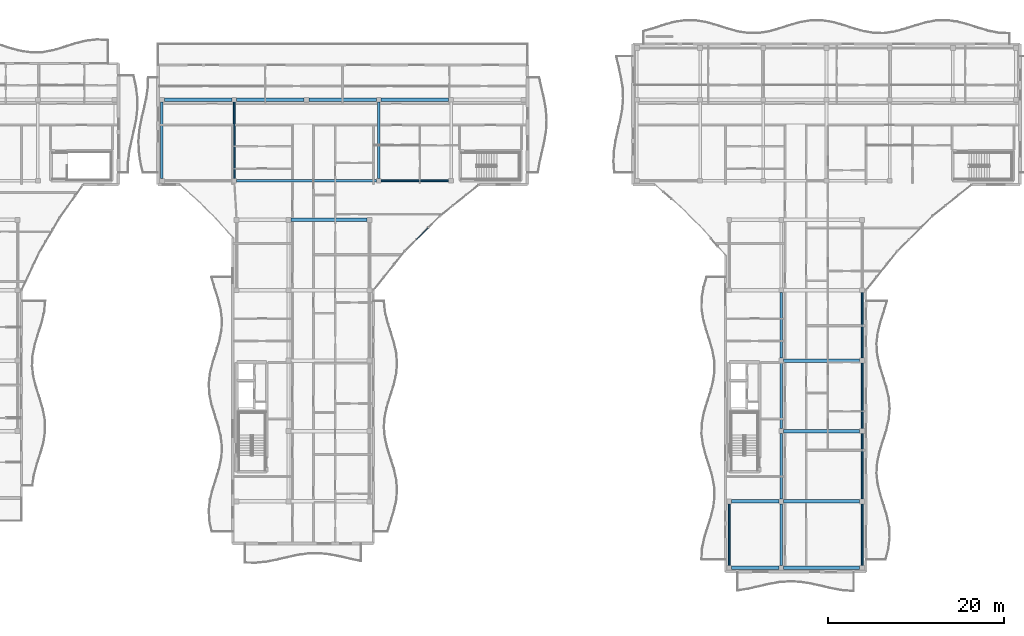
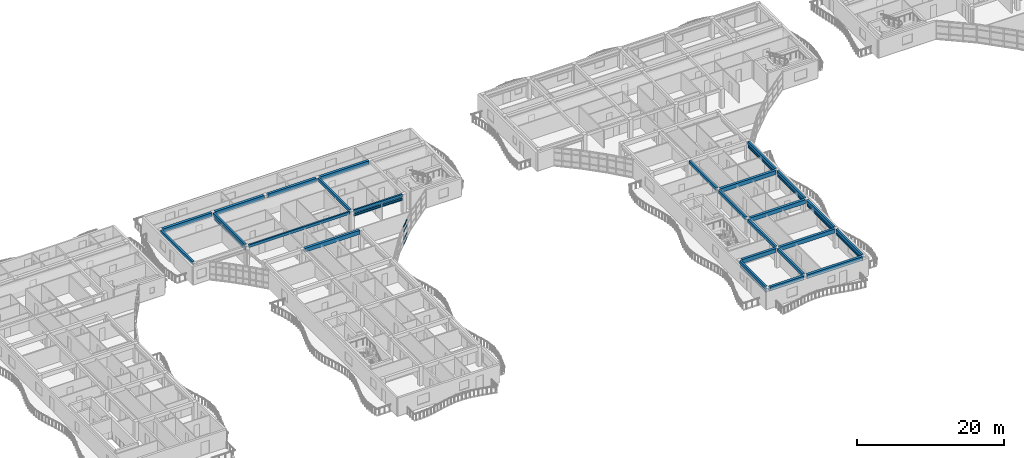
# One storey, part 7 of 68: 25 beams, 18 members, 1 element without a shape of its own.
"""IFC4 building model written with IfcOpenShell, lengths in metres."""

import ifcopenshell
import ifcopenshell.guid

model = None  # the IFC model being written
_history = None  # IfcOwnerHistory: only IFC2X3 demands one
_inside = {}  # id of a spatial element -> (the spatial element, [elements in it])
_under = {}  # id of a project, library or spatial element -> (it, [spatial elements below it])
_declared = {}  # id of a project -> (the project, [libraries it declares])
_typed = {}  # id of a type object -> (the type object, [elements of that type])
_made_of = {}  # id of a material, layer set ... -> (it, [elements and type objects made of it])


def new_model(schema):
    """Start an empty IFC model of exactly this schema.

    Asked for "IFC4X3", IfcOpenShell would pick the latest addendum, in which some entities
    have other attributes; the version numbers below select the first issue.
    IFC2X3 requires an IfcOwnerHistory on every rooted entity: one is made here for all.
    """
    global model, _history
    if schema == "IFC4X3":
        model = ifcopenshell.file(schema_version=(4, 3, 0, 0))
    else:
        model = ifcopenshell.file(schema=schema)
    _inside.clear()
    _under.clear()
    _declared.clear()
    _typed.clear()
    _made_of.clear()
    _history = None
    if model.schema == "IFC2X3":
        org = make("IfcOrganization", Name="unknown")
        user = make(
            "IfcPersonAndOrganization",
            ThePerson=make("IfcPerson", FamilyName="unknown"),
            TheOrganization=org,
        )
        app = make(
            "IfcApplication",
            ApplicationDeveloper=org,
            Version="unknown",
            ApplicationFullName="unknown",
            ApplicationIdentifier="unknown",
        )
        _history = make(
            "IfcOwnerHistory",
            OwningUser=user,
            OwningApplication=app,
            ChangeAction="ADDED",
            CreationDate=0,
        )
    return model


def make(cls, **values):
    """One entity of the class cls with the attributes given. An attribute that is None is left unset."""
    return model.create_entity(
        cls, **{name: value for name, value in values.items() if value is not None}
    )


def rooted(cls, **values):
    """An entity with a GlobalId (a new one), such as an element, a storey or a relation."""
    return make(cls, GlobalId=ifcopenshell.guid.new(), OwnerHistory=_history, **values)


def si_unit(unit_type, name, prefix=None):
    """IfcSIUnit, for example si_unit("LENGTHUNIT", "METRE", prefix="MILLI")."""
    return make("IfcSIUnit", UnitType=unit_type, Prefix=prefix, Name=name)


def assignment(units):
    """IfcUnitAssignment: the units of a project."""
    return None if units is None else make("IfcUnitAssignment", Units=units)


def point(xyz):
    """IfcCartesianPoint."""
    return None if xyz is None else make("IfcCartesianPoint", Coordinates=xyz)


def direction(xyz):
    """IfcDirection."""
    return None if xyz is None else make("IfcDirection", DirectionRatios=xyz)


def frame(location, z_axis=None, x_axis=None):
    """IfcAxis2Placement3D, a coordinate frame: its origin and axes. An axis left out is left unset."""
    return make(
        "IfcAxis2Placement3D",
        Location=point(location),
        Axis=direction(z_axis),
        RefDirection=direction(x_axis),
    )


def frame_2d(location, x_axis=None):
    """IfcAxis2Placement2D, a coordinate frame in the plane: its origin and x axis."""
    return make(
        "IfcAxis2Placement2D", Location=point(location), RefDirection=direction(x_axis)
    )


def origin():
    """The frame at (0, 0, 0) with its axes left unset."""
    return frame((0.0, 0.0, 0.0))


def origin_2d():
    """The frame at (0, 0) in the plane with its x axis left unset."""
    return frame_2d((0.0, 0.0))


def place(relative_to, where):
    """IfcLocalPlacement: puts the frame where relative to a parent placement (None: the world)."""
    return make(
        "IfcLocalPlacement", PlacementRelTo=relative_to, RelativePlacement=where
    )


def context(
    kind, dimensions, precision=None, world=None, true_north=None, identifier=None
):
    """IfcGeometricRepresentationContext, for example the 3D "Model" context."""
    return make(
        "IfcGeometricRepresentationContext",
        ContextIdentifier=identifier,
        ContextType=kind,
        CoordinateSpaceDimension=dimensions,
        Precision=precision,
        WorldCoordinateSystem=world,
        TrueNorth=true_north,
    )


def subcontext(parent, identifier, kind, view, scale=None):
    """IfcGeometricRepresentationSubContext, for example "Body" below "Model"."""
    return make(
        "IfcGeometricRepresentationSubContext",
        ContextIdentifier=identifier,
        ContextType=kind,
        ParentContext=parent,
        TargetScale=scale,
        TargetView=view,
    )


def project(units=None, contexts=None):
    """IfcProject with its units and contexts."""
    return rooted(
        "IfcProject",
        Name="project",
        RepresentationContexts=contexts,
        UnitsInContext=assignment(units),
    )


def spatial(cls, under=None, at=None, **own):
    """A site, building, storey or space (cls), placed at a placement, below another one or the project."""
    s = rooted(cls, ObjectPlacement=at, **own)
    if under is not None:
        _under.setdefault(under.id(), (under, []))[1].append(s)
    return s


def profile(cls, at=None, kind="AREA", **sizes):
    """A parametric profile (cls). Its sizes go by their IFC names, for example OverallWidth=200.0."""
    return make(cls, ProfileType=kind, Position=at, **sizes)


def rectangle(**sizes):
    """IfcRectangleProfileDef."""
    return profile("IfcRectangleProfileDef", **sizes)


def hollow_rectangle(**sizes):
    """IfcRectangleHollowProfileDef."""
    return profile("IfcRectangleHollowProfileDef", **sizes)


def extrude(swept, where, along, depth):
    """IfcExtrudedAreaSolid: the profile swept, set in the frame where, extruded along a direction by depth."""
    return make(
        "IfcExtrudedAreaSolid",
        SweptArea=swept,
        Position=where,
        ExtrudedDirection=direction(along),
        Depth=depth,
    )


def shape(context_of_items, identifier, shape_type, items):
    """IfcShapeRepresentation: the items that make up one representation, for example the "Body"."""
    return make(
        "IfcShapeRepresentation",
        ContextOfItems=context_of_items,
        RepresentationIdentifier=identifier,
        RepresentationType=shape_type,
        Items=items,
    )


def material(Name=None, Category=None):
    """IfcMaterial."""
    return make("IfcMaterial", Name=Name, Category=Category)


def layer(
    of_material, thickness, ventilated=None, Name=None, Category=None, Priority=None
):
    """IfcMaterialLayer: one layer of a wall or slab, of a material (None: an air gap)."""
    return make(
        "IfcMaterialLayer",
        Material=of_material,
        LayerThickness=thickness,
        IsVentilated=ventilated,
        Name=Name,
        Category=Category,
        Priority=Priority,
    )


def layer_set(layers, Name=None):
    """IfcMaterialLayerSet."""
    return make("IfcMaterialLayerSet", MaterialLayers=layers, LayerSetName=Name)


def material_profile(
    of_material, cross_section, Name=None, Category=None, Priority=None
):
    """IfcMaterialProfile: a cross section and its material."""
    return make(
        "IfcMaterialProfile",
        Name=Name,
        Material=of_material,
        Profile=cross_section,
        Priority=Priority,
        Category=Category,
    )


def profile_set(profiles, Name=None, composite=None):
    """IfcMaterialProfileSet."""
    return make(
        "IfcMaterialProfileSet",
        Name=Name,
        MaterialProfiles=profiles,
        CompositeProfile=composite,
    )


def made_of(thing, what):
    """Note that an element or type object is made of a material, layer set ...; save() writes the relation."""
    if what is not None:
        _made_of.setdefault(what.id(), (what, []))[1].append(thing)
    return thing


def type_object(cls, material=None, **own):
    """A type object (cls), such as IfcWallType, which elements share."""
    return made_of(rooted(cls, **own), material)


def element(
    cls,
    number,
    at=None,
    inside=None,
    cuts=None,
    type_object=None,
    material=None,
    context=None,
    identifier="Body",
    shape_type=None,
    held_by="IfcProductDefinitionShape",
    body=None,
    shapes=None,
    **own,
):
    """One element of the class cls, such as IfcWall. Its Tag is "e" and its number.

    at: its placement. inside: the storey or other place that contains it. cuts: it is an
    opening in that element (IfcRelVoidsElement). A single representation is given by context,
    identifier, shape_type and body (its items); several are given by shapes. held_by: the class
    of the entity that holds the representations. save() writes the other relations.
    """
    e = rooted(cls, Tag="e%d" % number, ObjectPlacement=at, **own)
    if body is not None:
        shapes = [shape(context, identifier, shape_type, body)]
    if shapes is not None:
        e.Representation = make(held_by, Representations=shapes)
    if inside is not None:
        _inside.setdefault(inside.id(), (inside, []))[1].append(e)
    if cuts is not None:
        rooted(
            "IfcRelVoidsElement", RelatingBuildingElement=cuts, RelatedOpeningElement=e
        )
    if type_object is not None:
        _typed.setdefault(type_object.id(), (type_object, []))[1].append(e)
    return made_of(e, material)


def aggregate(whole, parts):
    """IfcRelAggregates: a whole, such as a stair, and the parts it consists of."""
    return rooted("IfcRelAggregates", RelatingObject=whole, RelatedObjects=parts)


def save(model, path):
    """Write the relations noted so far, then the file.

    IfcRelAggregates (storeys below a building ...), IfcRelContainedInSpatialStructure (elements
    in a storey), IfcRelDefinesByType, IfcRelAssociatesMaterial and IfcRelDeclares: one each for
    every whole, place, type object, material and project.
    """
    for whole, parts in _under.values():
        aggregate(whole, parts)
    for where, things in _inside.values():
        rooted(
            "IfcRelContainedInSpatialStructure",
            RelatedElements=things,
            RelatingStructure=where,
        )
    for kind, things in _typed.values():
        rooted("IfcRelDefinesByType", RelatedObjects=things, RelatingType=kind)
    for what, things in _made_of.values():
        rooted("IfcRelAssociatesMaterial", RelatedObjects=things, RelatingMaterial=what)
    for by, libraries in _declared.values():
        rooted("IfcRelDeclares", RelatingContext=by, RelatedDefinitions=libraries)
    model.write(path)


model = new_model("IFC4")

# Units and contexts
model_context = context("Model", 3, precision=1e-05, world=origin(), true_north=direction((0.0, 1.0)))
body_context = subcontext(model_context, "Body", "Model", "MODEL_VIEW")
ifc_project = project(units=[si_unit("LENGTHUNIT", "METRE"), si_unit("AREAUNIT", "SQUARE_METRE"), si_unit("VOLUMEUNIT", "CUBIC_METRE"), si_unit("PLANEANGLEUNIT", "RADIAN"), si_unit("MASSUNIT", "GRAM", prefix="KILO")], contexts=[model_context])

# Site, building, storey
site_placement = place(None, origin())
site = spatial("IfcSite", under=ifc_project, at=site_placement, CompositionType="ELEMENT")
building_placement = place(site_placement, origin())
building = spatial("IfcBuilding", under=site, at=building_placement, Name="Keldmere Railside Commons", CompositionType="ELEMENT")
storey_placement = place(building_placement, frame((0.0, 0.0, 23.360107421875)))
storey = spatial("IfcBuildingStorey", under=building, at=storey_placement, Name="L07", CompositionType="ELEMENT", Elevation=23.360107421875)

# Members
ifc_material_1 = material(Name="Steel F-36 (S355)", Category="steel")
ifc_material_profile_1 = material_profile(ifc_material_1, hollow_rectangle(XDim=0.14990234375, YDim=0.25, WallThickness=0.010009765625, at=origin_2d()), Name="RHS-250x150x10")
ifc_profile_set_1 = profile_set([ifc_material_profile_1], Name="Steel F-36 (S355)")
member_type_1 = type_object("IfcMemberType", Name="Balcony Continuous Planted Trough RHS250x150", PredefinedType="CHORD", material=ifc_profile_set_1)
member_1_placement = place(storey_placement, frame((64.885009765625, 100.449951171875, 2.414794921875), z_axis=(1.0, 0.0, 0.0), x_axis=(0.0, 1.0, 0.0)))
element("IfcMember", 1, at=member_1_placement, inside=storey, type_object=member_type_1, Name="PLT-1 MEM-BPLT-0795", PredefinedType="CHORD", context=body_context, shape_type="SweptSolid", body=[
    extrude(hollow_rectangle(XDim=0.14990234375, YDim=0.25, WallThickness=0.010009765625, at=origin_2d()), origin(), (0.0, 0.0, 1.0), 7.669921875),
])
member_2_placement = place(storey_placement, frame((48.169921875, 100.72509765625, 2.414794921875), z_axis=(0.0, 1.0, 0.0), x_axis=(-1.0, 0.0, 0.0)))
element("IfcMember", 2, at=member_2_placement, inside=storey, type_object=member_type_1, Name="PLT-1 MEM-BPLT-0801", PredefinedType="CHORD", context=body_context, shape_type="SweptSolid", body=[
    extrude(hollow_rectangle(XDim=0.14990234375, YDim=0.25, WallThickness=0.010009765625, at=origin_2d()), origin(), (0.0, 0.0, 1.0), 8.64990234375),
])
for number, where, z_axis, x_axis, name in (
    (3, (104.449951171875, 56.72509765625, 2.414794921875), (0.0, 1.0, 0.0), (-1.0, 0.0, 0.0), "PLT-1 MEM-BPLT-0825"),
    (4, (119.550048828125, 56.72509765625, 2.414794921875), (0.0, 1.0, 0.0), (-1.0, 0.0, 0.0), "PLT-1 MEM-BPLT-0829"),
):
    element("IfcMember", number, at=place(storey_placement, frame(where, z_axis=z_axis, x_axis=x_axis)), inside=storey, type_object=member_type_1, Name=name, PredefinedType="CHORD", context=body_context, shape_type="SweptSolid", body=[
        extrude(hollow_rectangle(XDim=0.14990234375, YDim=0.25, WallThickness=0.010009765625, at=origin_2d()), origin(), (0.0, 0.0, 1.0), 7.0),
    ])
for number, where, z_axis, x_axis, name in (
    (5, (119.550048828125, 64.27490234375, 2.414794921875), (0.0, 1.0, 0.0), (-1.0, 0.0, 0.0), "PLT-1 MEM-BPLT-0831"),
    (6, (119.550048828125, 72.27490234375, 2.414794921875), (0.0, 1.0, 0.0), (-1.0, 0.0, 0.0), "PLT-1 MEM-BPLT-0833"),
    (7, (119.550048828125, 80.27490234375, 2.414794921875), (0.0, 1.0, 0.0), (-1.0, 0.0, 0.0), "PLT-1 MEM-BPLT-0835"),
):
    element("IfcMember", number, at=place(storey_placement, frame(where, z_axis=z_axis, x_axis=x_axis)), inside=storey, type_object=member_type_1, Name=name, PredefinedType="CHORD", context=body_context, shape_type="SweptSolid", body=[
        extrude(hollow_rectangle(XDim=0.14990234375, YDim=0.25, WallThickness=0.010009765625, at=origin_2d()), origin(), (0.0, 0.0, 1.0), 7.4501953125),
    ])

# Beams
ifc_material_2 = material(Name="Architectural Precast Concrete H-35 (C35/45)", Category="concrete")
ifc_material_profile_2 = material_profile(ifc_material_2, rectangle(XDim=0.25, YDim=0.449951171875, at=origin_2d()), Name="RC-250x450")
ifc_profile_set_2 = profile_set([ifc_material_profile_2], Name="Architectural Precast Concrete H-35 (C35/45)")
beam_type_1 = type_object("IfcBeamType", Name="Perimeter Precast Spandrel Beam 250x450", PredefinedType="SPANDREL", material=ifc_profile_set_2)
beam_1_placement = place(storey_placement, frame((48.445068359375, 100.449951171875, 2.974853515625), z_axis=(1.0, 0.0, 0.0), x_axis=(0.0, 1.0, 0.0)))
element("IfcBeam", 8, at=beam_1_placement, inside=storey, type_object=beam_type_1, Name="SPB-1 BM-L07-2056", PredefinedType="SPANDREL", context=body_context, shape_type="SweptSolid", body=[
    extrude(rectangle(XDim=0.25, YDim=0.449951171875, at=origin_2d()), origin(), (0.0, 0.0, 1.0), 15.889892578125),
])
beam_2_placement = place(storey_placement, frame((64.885009765625, 100.449951171875, 2.974853515625), z_axis=(1.0, 0.0, 0.0), x_axis=(0.0, 1.0, 0.0)))
element("IfcBeam", 9, at=beam_2_placement, inside=storey, type_object=beam_type_1, Name="SPB-1 BM-L07-2057", PredefinedType="SPANDREL", context=body_context, shape_type="SweptSolid", body=[
    extrude(rectangle(XDim=0.25, YDim=0.449951171875, at=origin_2d()), origin(), (0.0, 0.0, 1.0), 7.669921875),
])
ifc_material_3 = material(Name="Concrete H-30 (C30/37)", Category="concrete")
ifc_material_profile_3 = material_profile(ifc_material_3, rectangle(XDim=0.39990234375, YDim=0.64990234375, at=origin_2d()), Name="RC-400x650")
ifc_profile_set_3 = profile_set([ifc_material_profile_3], Name="Concrete H-30 (C30/37)")
beam_type_2 = type_object("IfcBeamType", Name="Residential Spine RC Girder 400x650", PredefinedType="BEAM", material=ifc_profile_set_3)
beam_3_placement = place(storey_placement, frame((104.72509765625, 56.449951171875, 2.875), z_axis=(1.0, 0.0, 0.0), x_axis=(0.0, 1.0, 0.0)))
element("IfcBeam", 10, at=beam_3_placement, inside=storey, type_object=beam_type_2, Name="BG-3 BM-L07-2020", PredefinedType="BEAM", context=body_context, shape_type="SweptSolid", body=[
    extrude(rectangle(XDim=0.39990234375, YDim=0.64990234375, at=origin_2d()), origin(), (0.0, 0.0, 1.0), 5.349853515625),
])
beam_4_placement = place(storey_placement, frame((110.625, 56.449951171875, 2.875), z_axis=(1.0, 0.0, 0.0), x_axis=(0.0, 1.0, 0.0)))
element("IfcBeam", 11, at=beam_4_placement, inside=storey, type_object=beam_type_2, Name="BG-3 BM-L07-2021", PredefinedType="BEAM", context=body_context, shape_type="SweptSolid", body=[
    extrude(rectangle(XDim=0.39990234375, YDim=0.64990234375, at=origin_2d()), origin(), (0.0, 0.0, 1.0), 8.64990234375),
])
beam_5_placement = place(storey_placement, frame((104.72509765625, 64.0, 2.875), z_axis=(1.0, 0.0, 0.0), x_axis=(0.0, 1.0, 0.0)))
element("IfcBeam", 12, at=beam_5_placement, inside=storey, type_object=beam_type_2, Name="BG-3 BM-L07-2026", PredefinedType="BEAM", context=body_context, shape_type="SweptSolid", body=[
    extrude(rectangle(XDim=0.39990234375, YDim=0.64990234375, at=origin_2d()), origin(), (0.0, 0.0, 1.0), 5.349853515625),
])
for number, where, z_axis, x_axis, name in (
    (13, (110.625, 64.0, 2.875), (1.0, 0.0, 0.0), (0.0, 1.0, 0.0), "BG-3 BM-L07-2027"),
    (14, (110.625, 72.0, 2.875), (1.0, 0.0, 0.0), (0.0, 1.0, 0.0), "BG-3 BM-L07-2032"),
    (15, (110.625, 80.0, 2.875), (1.0, 0.0, 0.0), (0.0, 1.0, 0.0), "BG-3 BM-L07-2036"),
    (16, (54.625, 96.0, 2.875), (1.0, 0.0, 0.0), (0.0, 1.0, 0.0), "BG-3 BM-L07-2049"),
):
    element("IfcBeam", number, at=place(storey_placement, frame(where, z_axis=z_axis, x_axis=x_axis)), inside=storey, type_object=beam_type_2, Name=name, PredefinedType="BEAM", context=body_context, shape_type="SweptSolid", body=[
        extrude(rectangle(XDim=0.39990234375, YDim=0.64990234375, at=origin_2d()), origin(), (0.0, 0.0, 1.0), 8.64990234375),
    ])
for number, where, z_axis, x_axis, name in (
    (17, (40.22509765625, 109.64990234375, 2.875), (1.0, 0.0, 0.0), (0.0, 1.0, 0.0), "BG-3 BM-L07-2067"),
    (18, (48.445068359375, 109.64990234375, 2.875), (1.0, 0.0, 0.0), (0.0, 1.0, 0.0), "BG-3 BM-L07-2068"),
    (19, (56.6650390625, 109.64990234375, 2.875), (1.0, 0.0, 0.0), (0.0, 1.0, 0.0), "BG-3 BM-L07-2069"),
    (20, (64.885009765625, 109.64990234375, 2.875), (1.0, 0.0, 0.0), (0.0, 1.0, 0.0), "BG-3 BM-L07-2070"),
):
    element("IfcBeam", number, at=place(storey_placement, frame(where, z_axis=z_axis, x_axis=x_axis)), inside=storey, type_object=beam_type_2, Name=name, PredefinedType="BEAM", context=body_context, shape_type="SweptSolid", body=[
        extrude(rectangle(XDim=0.39990234375, YDim=0.64990234375, at=origin_2d()), origin(), (0.0, 0.0, 1.0), 7.669921875),
    ])
ifc_material_profile_4 = material_profile(ifc_material_3, rectangle(XDim=0.300048828125, YDim=0.5, at=origin_2d()), Name="RC-300x500")
ifc_profile_set_4 = profile_set([ifc_material_profile_4], Name="Concrete H-30 (C30/37)")
beam_type_3 = type_object("IfcBeamType", Name="Secondary Frame RC Beam 300x500", PredefinedType="BEAM", material=ifc_profile_set_4)
for number, where, z_axis, x_axis, name in (
    (21, (39.949951171875, 100.72509765625, 2.949951171875), (0.0, 1.0, 0.0), (-1.0, 0.0, 0.0), "BG-5 BM-L07-2104"),
    (22, (48.169921875, 100.72509765625, 2.949951171875), (0.0, 1.0, 0.0), (-1.0, 0.0, 0.0), "BG-5 BM-L07-2105"),
    (23, (64.610107421875, 100.72509765625, 2.949951171875), (0.0, 1.0, 0.0), (-1.0, 0.0, 0.0), "BG-5 BM-L07-2115"),
):
    element("IfcBeam", number, at=place(storey_placement, frame(where, z_axis=z_axis, x_axis=x_axis)), inside=storey, type_object=beam_type_3, Name=name, PredefinedType="BEAM", context=body_context, shape_type="SweptSolid", body=[
        extrude(rectangle(XDim=0.300048828125, YDim=0.5, at=origin_2d()), origin(), (0.0, 0.0, 1.0), 8.64990234375),
    ])
for number, where, z_axis, x_axis, name in (
    (24, (104.449951171875, 56.72509765625, 2.949951171875), (0.0, 1.0, 0.0), (-1.0, 0.0, 0.0), "BG-5 BM-L07-2121"),
    (25, (110.35009765625, 56.72509765625, 2.949951171875), (0.0, 1.0, 0.0), (-1.0, 0.0, 0.0), "BG-5 BM-L07-2125"),
):
    element("IfcBeam", number, at=place(storey_placement, frame(where, z_axis=z_axis, x_axis=x_axis)), inside=storey, type_object=beam_type_3, Name=name, PredefinedType="BEAM", context=body_context, shape_type="SweptSolid", body=[
        extrude(rectangle(XDim=0.300048828125, YDim=0.5, at=origin_2d()), origin(), (0.0, 0.0, 1.0), 7.0),
    ])
for number, where, z_axis, x_axis, name in (
    (26, (110.35009765625, 64.27490234375, 2.949951171875), (0.0, 1.0, 0.0), (-1.0, 0.0, 0.0), "BG-5 BM-L07-2126"),
    (27, (110.35009765625, 72.27490234375, 2.949951171875), (0.0, 1.0, 0.0), (-1.0, 0.0, 0.0), "BG-5 BM-L07-2127"),
    (28, (110.35009765625, 80.27490234375, 2.949951171875), (0.0, 1.0, 0.0), (-1.0, 0.0, 0.0), "BG-5 BM-L07-2128"),
):
    element("IfcBeam", number, at=place(storey_placement, frame(where, z_axis=z_axis, x_axis=x_axis)), inside=storey, type_object=beam_type_3, Name=name, PredefinedType="BEAM", context=body_context, shape_type="SweptSolid", body=[
        extrude(rectangle(XDim=0.300048828125, YDim=0.5, at=origin_2d()), origin(), (0.0, 0.0, 1.0), 7.4501953125),
    ])
beam_6_placement = place(storey_placement, frame((119.550048828125, 56.72509765625, 2.949951171875), z_axis=(0.0, 1.0, 0.0), x_axis=(-1.0, 0.0, 0.0)))
element("IfcBeam", 29, at=beam_6_placement, inside=storey, type_object=beam_type_3, Name="BG-5 BM-L07-2132", PredefinedType="BEAM", context=body_context, shape_type="SweptSolid", body=[
    extrude(rectangle(XDim=0.300048828125, YDim=0.5, at=origin_2d()), origin(), (0.0, 0.0, 1.0), 7.0),
])
for number, where, z_axis, x_axis, name in (
    (30, (119.550048828125, 64.27490234375, 2.949951171875), (0.0, 1.0, 0.0), (-1.0, 0.0, 0.0), "BG-5 BM-L07-2133"),
    (31, (119.550048828125, 72.27490234375, 2.949951171875), (0.0, 1.0, 0.0), (-1.0, 0.0, 0.0), "BG-5 BM-L07-2134"),
    (32, (119.550048828125, 80.27490234375, 2.949951171875), (0.0, 1.0, 0.0), (-1.0, 0.0, 0.0), "BG-5 BM-L07-2135"),
):
    element("IfcBeam", number, at=place(storey_placement, frame(where, z_axis=z_axis, x_axis=x_axis)), inside=storey, type_object=beam_type_3, Name=name, PredefinedType="BEAM", context=body_context, shape_type="SweptSolid", body=[
        extrude(rectangle(XDim=0.300048828125, YDim=0.5, at=origin_2d()), origin(), (0.0, 0.0, 1.0), 7.4501953125),
    ])

# Members
ifc_material_profile_5 = material_profile(ifc_material_1, hollow_rectangle(XDim=0.10009765625, YDim=0.159912109375, WallThickness=0.008056640625, at=origin_2d()), Name="RHS-160x100x8")
ifc_profile_set_5 = profile_set([ifc_material_profile_5], Name="Steel F-36 (S355)")
member_type_2 = type_object("IfcMemberType", Name="Solar Brise-Soleil Louvre Fin RHS160x100", PredefinedType="STRUT", material=ifc_profile_set_5)
member_3_placement = place(storey_placement, frame((64.885009765625, 100.449951171875, 2.199951171875), z_axis=(1.0, 0.0, 0.0), x_axis=(0.0, 1.0, 0.0)))
element("IfcMember", 33, at=member_3_placement, inside=storey, type_object=member_type_2, Name="BSF-1 MEM-BSF-0796", PredefinedType="STRUT", context=body_context, shape_type="SweptSolid", body=[
    extrude(hollow_rectangle(XDim=0.10009765625, YDim=0.159912109375, WallThickness=0.008056640625, at=origin_2d()), origin(), (0.0, 0.0, 1.0), 7.669921875),
])
member_4_placement = place(storey_placement, frame((48.169921875, 100.72509765625, 2.199951171875), z_axis=(0.0, 1.0, 0.0), x_axis=(-1.0, 0.0, 0.0)))
element("IfcMember", 34, at=member_4_placement, inside=storey, type_object=member_type_2, Name="BSF-1 MEM-BSF-0802", PredefinedType="STRUT", context=body_context, shape_type="SweptSolid", body=[
    extrude(hollow_rectangle(XDim=0.10009765625, YDim=0.159912109375, WallThickness=0.008056640625, at=origin_2d()), origin(), (0.0, 0.0, 1.0), 8.64990234375),
])
for number, where, z_axis, x_axis, name in (
    (35, (104.449951171875, 56.72509765625, 2.199951171875), (0.0, 1.0, 0.0), (-1.0, 0.0, 0.0), "BSF-1 MEM-BSF-0826"),
    (36, (119.550048828125, 56.72509765625, 2.199951171875), (0.0, 1.0, 0.0), (-1.0, 0.0, 0.0), "BSF-1 MEM-BSF-0830"),
):
    element("IfcMember", number, at=place(storey_placement, frame(where, z_axis=z_axis, x_axis=x_axis)), inside=storey, type_object=member_type_2, Name=name, PredefinedType="STRUT", context=body_context, shape_type="SweptSolid", body=[
        extrude(hollow_rectangle(XDim=0.10009765625, YDim=0.159912109375, WallThickness=0.008056640625, at=origin_2d()), origin(), (0.0, 0.0, 1.0), 7.0),
    ])
for number, where, z_axis, x_axis, name in (
    (37, (119.550048828125, 64.27490234375, 2.199951171875), (0.0, 1.0, 0.0), (-1.0, 0.0, 0.0), "BSF-1 MEM-BSF-0832"),
    (38, (119.550048828125, 72.27490234375, 2.199951171875), (0.0, 1.0, 0.0), (-1.0, 0.0, 0.0), "BSF-1 MEM-BSF-0834"),
    (39, (119.550048828125, 80.27490234375, 2.199951171875), (0.0, 1.0, 0.0), (-1.0, 0.0, 0.0), "BSF-1 MEM-BSF-0836"),
):
    element("IfcMember", number, at=place(storey_placement, frame(where, z_axis=z_axis, x_axis=x_axis)), inside=storey, type_object=member_type_2, Name=name, PredefinedType="STRUT", context=body_context, shape_type="SweptSolid", body=[
        extrude(hollow_rectangle(XDim=0.10009765625, YDim=0.159912109375, WallThickness=0.008056640625, at=origin_2d()), origin(), (0.0, 0.0, 1.0), 7.4501953125),
    ])

# Curtain wall, members
ifc_material_4 = material(Name="Thermally Broken Aluminium", Category="aluminium")
ifc_layer = layer(ifc_material_4, 0.159912109375, Name="Court Chord Wintergarden CW 5400x2850")
ifc_layer_set = layer_set([ifc_layer], Name="Thermally Broken Aluminium")
curtain_wall_type = type_object("IfcCurtainWallType", Name="Court Chord Wintergarden CW 5400x2850", PredefinedType="NOTDEFINED", material=ifc_layer_set)
curtain_wall_placement = place(storey_placement, origin())
curtain_wall = element("IfcCurtainWall", 40, at=curtain_wall_placement, inside=storey, type_object=curtain_wall_type, Name="CW-13 CW-L07-068", PredefinedType="NOTDEFINED")
ifc_material_profile_6 = material_profile(ifc_material_4, hollow_rectangle(XDim=0.06494140625, YDim=0.1201171875, WallThickness=0.00390625, at=origin_2d()), Name="ALU-TRAN-65x120")
ifc_profile_set_6 = profile_set([ifc_material_profile_6], Name="Thermally Broken Aluminium")
member_type_3 = type_object("IfcMemberType", Name="Unitised Curtain Wall Transom 65x120", PredefinedType="USERDEFINED", material=ifc_profile_set_6)
member_5_placement = place(storey_placement, frame((70.208251953125, 95.08447265625, 0.032470703125), z_axis=(-0.707106781187, -0.707106781187, 0.0), x_axis=(0.707106781187, -0.707106781187, 0.0)))
member_5 = element("IfcMember", 41, at=member_5_placement, type_object=member_type_3, Name="CW-13 transom 2.1", ObjectType="TRANSOM", PredefinedType="USERDEFINED", context=body_context, shape_type="SweptSolid", body=[
    extrude(hollow_rectangle(XDim=0.06494140625, YDim=0.1201171875, WallThickness=0.00390625, at=origin_2d()), origin(), (0.0, 0.0, 1.0), 1.828125),
])
member_6_placement = place(storey_placement, frame((70.208251953125, 95.08447265625, 0.89990234375), z_axis=(-0.707106781187, -0.707106781187, 0.0), x_axis=(0.707106781187, -0.707106781187, 0.0)))
member_6 = element("IfcMember", 42, at=member_6_placement, type_object=member_type_3, Name="CW-13 transom 2.2", ObjectType="TRANSOM", PredefinedType="USERDEFINED", context=body_context, shape_type="SweptSolid", body=[
    extrude(hollow_rectangle(XDim=0.06494140625, YDim=0.1201171875, WallThickness=0.00390625, at=origin_2d()), origin(), (0.0, 0.0, 1.0), 1.828125),
])
member_7_placement = place(storey_placement, frame((70.208251953125, 95.08447265625, 2.14990234375), z_axis=(-0.707106781187, -0.707106781187, 0.0), x_axis=(0.707106781187, -0.707106781187, 0.0)))
member_7 = element("IfcMember", 43, at=member_7_placement, type_object=member_type_3, Name="CW-13 transom 2.3", ObjectType="TRANSOM", PredefinedType="USERDEFINED", context=body_context, shape_type="SweptSolid", body=[
    extrude(hollow_rectangle(XDim=0.06494140625, YDim=0.1201171875, WallThickness=0.00390625, at=origin_2d()), origin(), (0.0, 0.0, 1.0), 1.828125),
])
member_8_placement = place(storey_placement, frame((70.208251953125, 95.08447265625, 2.947509765625), z_axis=(-0.707106781187, -0.707106781187, 0.0), x_axis=(0.707106781187, -0.707106781187, 0.0)))
member_8 = element("IfcMember", 44, at=member_8_placement, type_object=member_type_3, Name="CW-13 transom 2.4", ObjectType="TRANSOM", PredefinedType="USERDEFINED", context=body_context, shape_type="SweptSolid", body=[
    extrude(hollow_rectangle(XDim=0.06494140625, YDim=0.1201171875, WallThickness=0.00390625, at=origin_2d()), origin(), (0.0, 0.0, 1.0), 1.828125),
])
aggregate(curtain_wall, [member_5, member_6, member_7, member_8])

save(model, "model.ifc")
